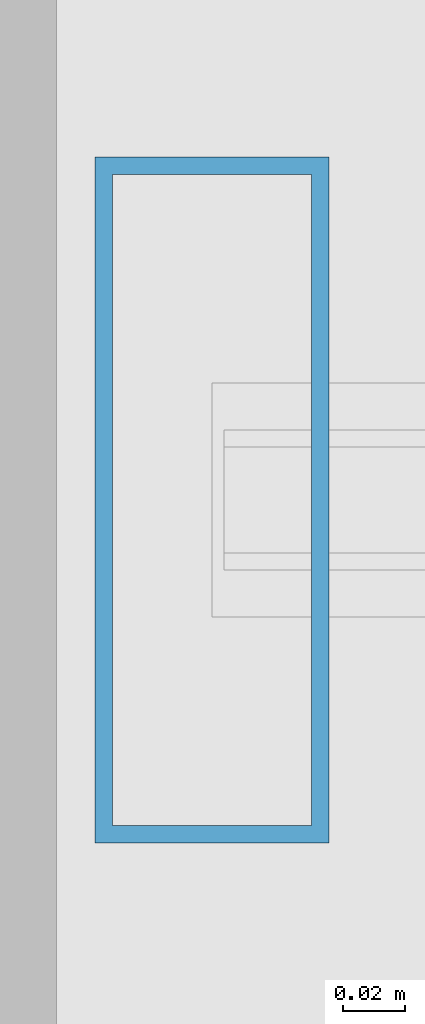
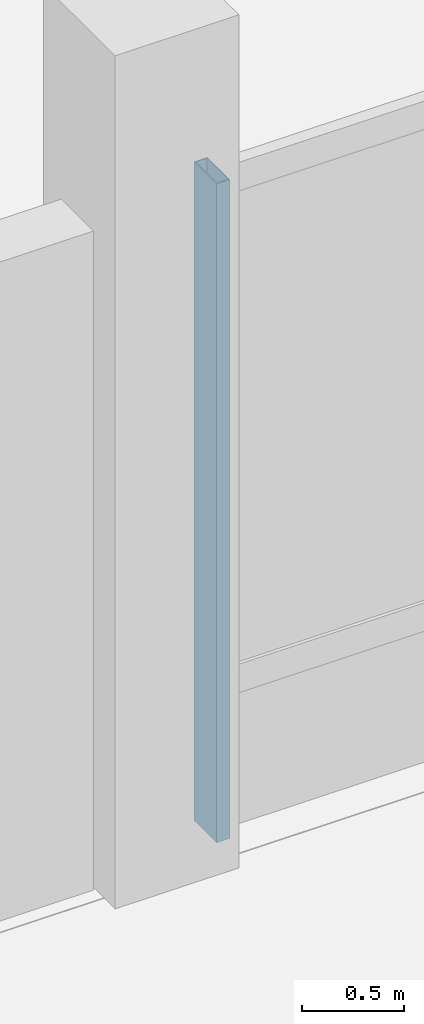
# One storey, part 21 of 73: 1 member, 1 element without a shape of its own.
"""IFC4 building model written with IfcOpenShell, lengths in metres."""

from ifc_helpers import new_model, si_unit, direction, frame, origin, origin_2d, place, context, subcontext, project, spatial, hollow_rectangle, extrude, material, layer, layer_set, material_profile, profile_set, type_object, element, aggregate, save


model = new_model("IFC4")

# Units and contexts
model_context = context("Model", 3, precision=1e-05, world=origin(), true_north=direction((0.0, 1.0)))
body_context = subcontext(model_context, "Body", "Model", "MODEL_VIEW")
ifc_project = project(units=[si_unit("LENGTHUNIT", "METRE"), si_unit("AREAUNIT", "SQUARE_METRE"), si_unit("VOLUMEUNIT", "CUBIC_METRE"), si_unit("PLANEANGLEUNIT", "RADIAN"), si_unit("MASSUNIT", "GRAM", prefix="KILO")], contexts=[model_context])

# Site, building, storey
site_placement = place(None, origin())
site = spatial("IfcSite", under=ifc_project, at=site_placement, CompositionType="ELEMENT")
building_placement = place(site_placement, origin())
building = spatial("IfcBuilding", under=site, at=building_placement, Name="Meriwether Solvik Hall", CompositionType="ELEMENT")
storey_placement = place(building_placement, origin())
storey = spatial("IfcBuildingStorey", under=building, at=storey_placement, Name="L00", CompositionType="ELEMENT", Elevation=0.0)

# Curtain wall, member
ifc_material_1 = material(Name="Thermally Broken Anodised Aluminium 6063-T6 and Low-E Glass", Category="aluminium")
ifc_layer = layer(ifc_material_1, 0.179931640625)
ifc_layer_set = layer_set([ifc_layer], Name="Thermally Broken Anodised Aluminium 6063-T6 and Low-E Glass")
curtain_wall_type = type_object("IfcCurtainWallType", Name="CW-SF-POD-A", PredefinedType="USERDEFINED", material=ifc_layer_set)
curtain_wall_placement = place(storey_placement, origin())
curtain_wall = element("IfcCurtainWall", 1, at=curtain_wall_placement, inside=storey, type_object=curtain_wall_type, Name="Curtain Wall wing_XF_15_14 (L00)", ObjectType="STICK STOREFRONT GLAZING", PredefinedType="USERDEFINED")
ifc_material_2 = material(Name="Anodised Aluminium 6063-T6", Category="aluminium")
ifc_material_profile = material_profile(ifc_material_2, hollow_rectangle(XDim=0.074951171875, YDim=0.219970703125, WallThickness=0.005615234375, at=origin_2d()), Name="CWM-75X220")
ifc_profile_set = profile_set([ifc_material_profile], Name="Anodised Aluminium 6063-T6")
member_type = type_object("IfcMemberType", Name="CW-MUL-75X220", PredefinedType="MULLION", material=ifc_profile_set)
member_placement = place(storey_placement, frame((132.199951171875, 50.0, 0.0), z_axis=(0.0, 0.0, 1.0), x_axis=(-1.0, 0.0, 0.0)))
member = element("IfcMember", 2, at=member_placement, type_object=member_type, Name="Curtain Wall Mullion 4", PredefinedType="MULLION", context=body_context, shape_type="SweptSolid", body=[
    extrude(hollow_rectangle(XDim=0.074951171875, YDim=0.219970703125, WallThickness=0.005615234375, at=origin_2d()), origin(), (0.0, 0.0, 1.0), 3.93994140625),
])
aggregate(curtain_wall, [member])

save(model, "model.ifc")
